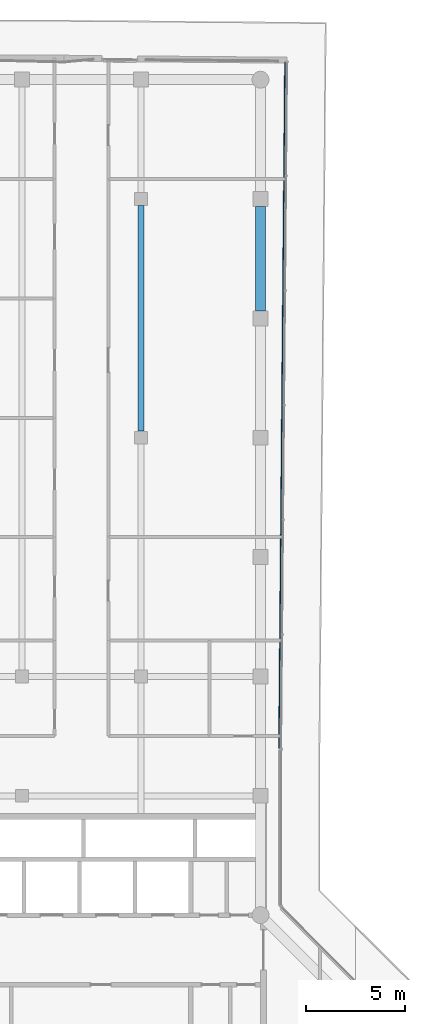
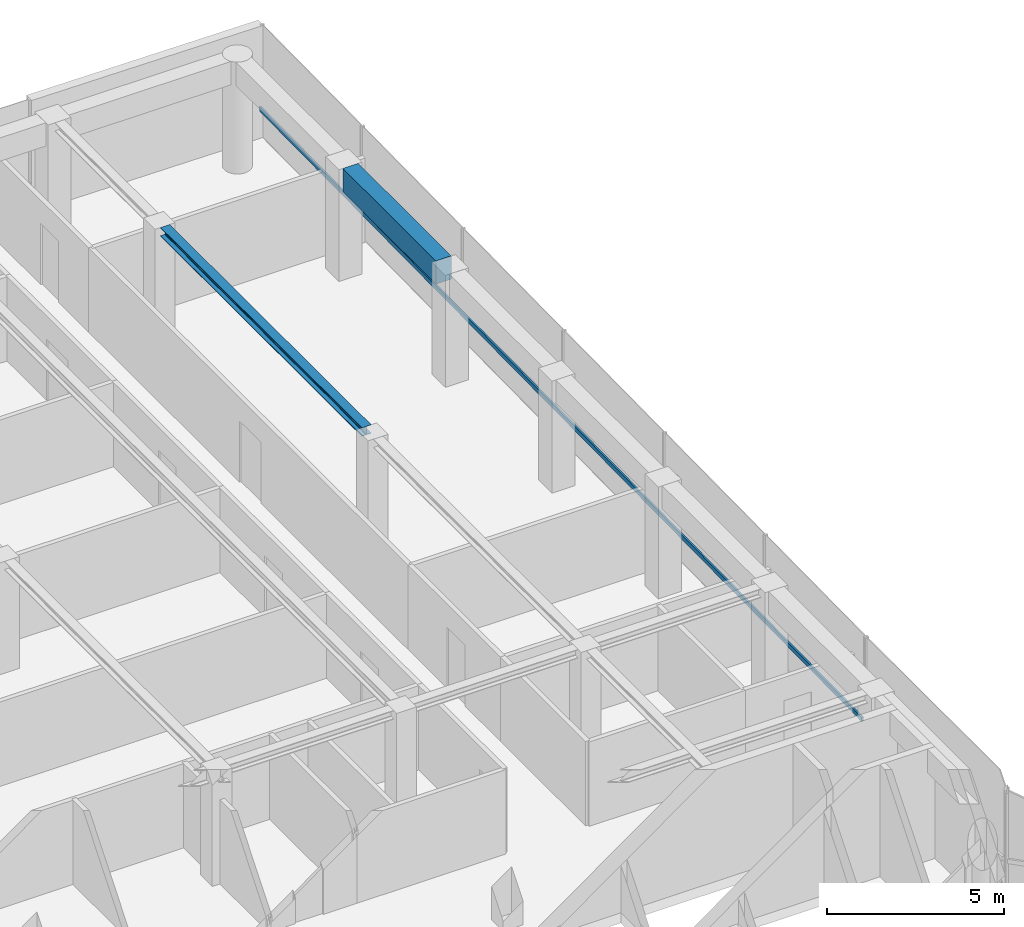
# One storey, part 11 of 18: 2 beams, 1 member, 1 element without a shape of its own.
"""IFC4 building model written with IfcOpenShell, lengths in metres."""

from ifc_helpers import new_model, si_unit, direction, frame, origin, origin_2d, place, context, subcontext, project, spatial, rectangle, i_section, extrude, material, layer, layer_set, material_profile, profile_set, type_object, element, aggregate, save


model = new_model("IFC4")

# Units and contexts
model_context = context("Model", 3, precision=1e-05, world=origin(), true_north=direction((0.0, 1.0)))
body_context = subcontext(model_context, "Body", "Model", "MODEL_VIEW")
ifc_project = project(units=[si_unit("LENGTHUNIT", "METRE"), si_unit("AREAUNIT", "SQUARE_METRE"), si_unit("VOLUMEUNIT", "CUBIC_METRE"), si_unit("PLANEANGLEUNIT", "RADIAN"), si_unit("MASSUNIT", "GRAM", prefix="KILO")], contexts=[model_context])

# Site, building, storey
site_placement = place(None, origin())
site = spatial("IfcSite", under=ifc_project, at=site_placement, CompositionType="ELEMENT")
building_placement = place(site_placement, origin())
building = spatial("IfcBuilding", under=site, at=building_placement, Name="Welwitschia Terrace Campus", CompositionType="ELEMENT")
storey_placement = place(building_placement, frame((0.0, 0.0, 285.199951171875)))
storey = spatial("IfcBuildingStorey", under=building, at=storey_placement, Name="L63", CompositionType="ELEMENT", Elevation=285.199951171875)

# Beams
ifc_material_1 = material(Name="Steel S355", Category="steel")
ifc_material_profile_1 = material_profile(ifc_material_1, i_section(OverallWidth=0.300048828125, OverallDepth=0.300048828125, WebThickness=0.010986328125, FlangeThickness=0.01904296875, FilletRadius=0.027099609375, at=origin_2d()))
ifc_profile_set_1 = profile_set([ifc_material_profile_1], Name="Steel S355")
beam_type_1 = type_object("IfcBeamType", Name="Interior girder HE 300 B", PredefinedType="BEAM", material=ifc_profile_set_1)
beam_1_placement = place(storey_placement, frame((18.0, 44.325439453125, 3.699951171875), z_axis=(0.0, 1.0, 0.0), x_axis=(-1.0, 0.0, 0.0)))
element("IfcBeam", 1, at=beam_1_placement, inside=storey, type_object=beam_type_1, Name="Girder GB6", PredefinedType="BEAM", context=body_context, shape_type="SweptSolid", body=[
    extrude(i_section(OverallWidth=0.300048828125, OverallDepth=0.300048828125, WebThickness=0.010986328125, FlangeThickness=0.01904296875, FilletRadius=0.027099609375, at=origin_2d()), origin(), (0.0, 0.0, 1.0), 11.34912109375),
])
ifc_material_2 = material(Name="Concrete C50/60", Category="concrete")
ifc_material_profile_2 = material_profile(ifc_material_2, rectangle(XDim=0.5, YDim=0.800048828125, at=origin_2d()))
ifc_profile_set_2 = profile_set([ifc_material_profile_2], Name="Concrete C50/60")
beam_type_2 = type_object("IfcBeamType", Name="Ring spandrel 500x800", PredefinedType="SPANDREL", material=ifc_profile_set_2)
beam_2_placement = place(storey_placement, frame((24.0, 50.37548828125, 3.449951171875), z_axis=(0.0, 1.0, 0.0), x_axis=(-1.0, 0.0, 0.0)))
element("IfcBeam", 2, at=beam_2_placement, inside=storey, type_object=beam_type_2, Name="Spandrel SP4", PredefinedType="SPANDREL", context=body_context, shape_type="SweptSolid", body=[
    extrude(rectangle(XDim=0.5, YDim=0.800048828125, at=origin_2d()), origin(), (0.0, 0.0, 1.0), 5.2490234375),
])

# Curtain wall, member
ifc_material_3 = material(Name="Bronze anodised aluminium", Category="aluminium")
ifc_layer = layer(ifc_material_3, 0.1201171875)
ifc_layer_set = layer_set([ifc_layer], Name="Bronze anodised aluminium")
curtain_wall_type = type_object("IfcCurtainWallType", Name="Curtain wall CW2 tower 6000", PredefinedType="NOTDEFINED", material=ifc_layer_set)
curtain_wall_placement = place(storey_placement, origin())
curtain_wall = element("IfcCurtainWall", 3, at=curtain_wall_placement, inside=storey, type_object=curtain_wall_type, Name="CW L63.10.0", PredefinedType="NOTDEFINED")
ifc_material_4 = material(Name="Bronze anodised aluminium", Category="aluminium")
ifc_material_profile_3 = material_profile(ifc_material_4, rectangle(XDim=0.06005859375, YDim=0.14990234375, at=origin_2d()))
ifc_profile_set_3 = profile_set([ifc_material_profile_3], Name="Bronze anodised aluminium")
member_type = type_object("IfcMemberType", Name="Transom 60x150", PredefinedType="USERDEFINED", material=ifc_profile_set_3)
member_placement = place(storey_placement, frame((24.9404296875, 28.400634765625, 1.0), z_axis=(0.008732023542, 0.999961875156, 0.0), x_axis=(-0.999961875156, 0.008732023542, 0.0)))
member = element("IfcMember", 4, at=member_placement, type_object=member_type, Name="Transom L63.10.0", ObjectType="TRANSOM", PredefinedType="USERDEFINED", context=body_context, shape_type="SweptSolid", body=[
    extrude(rectangle(XDim=0.06005859375, YDim=0.14990234375, at=origin_2d()), origin(), (0.0, 0.0, 1.0), 34.4736328125),
])
aggregate(curtain_wall, [member])

save(model, "model.ifc")
